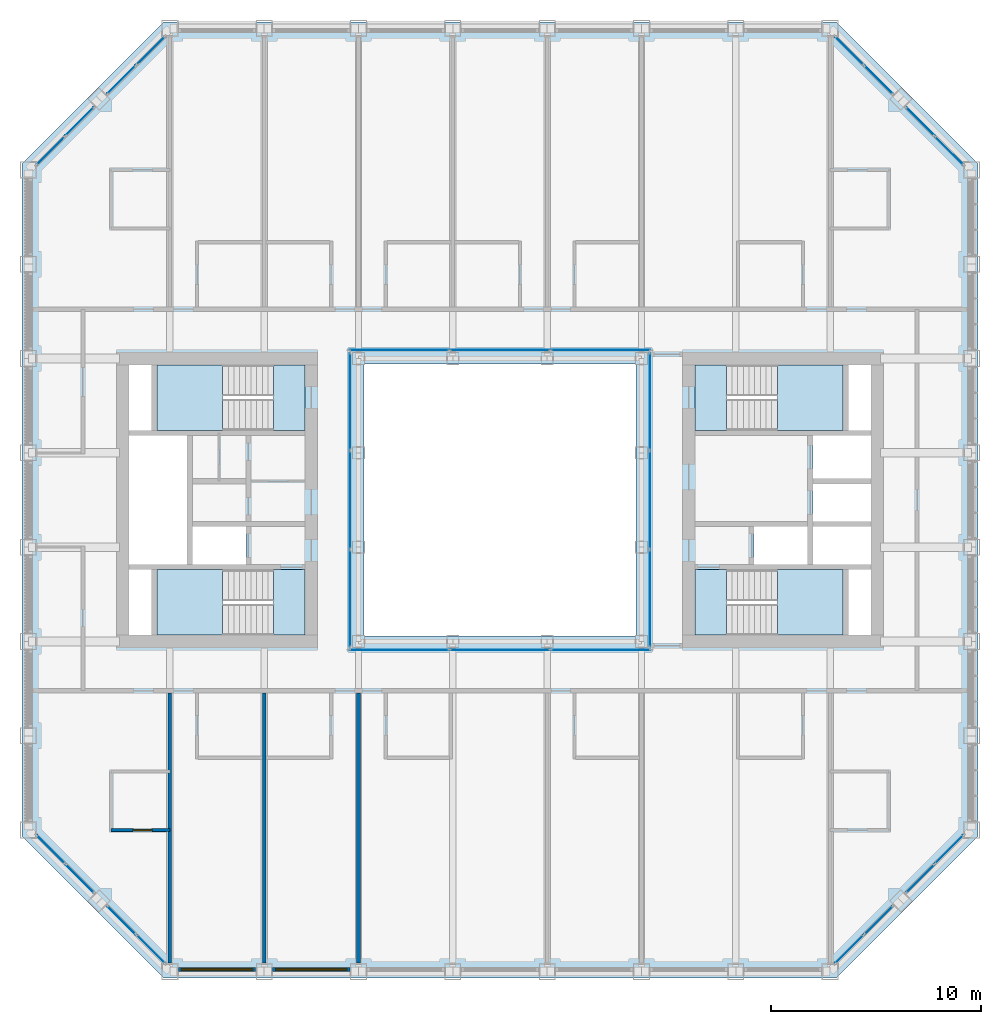
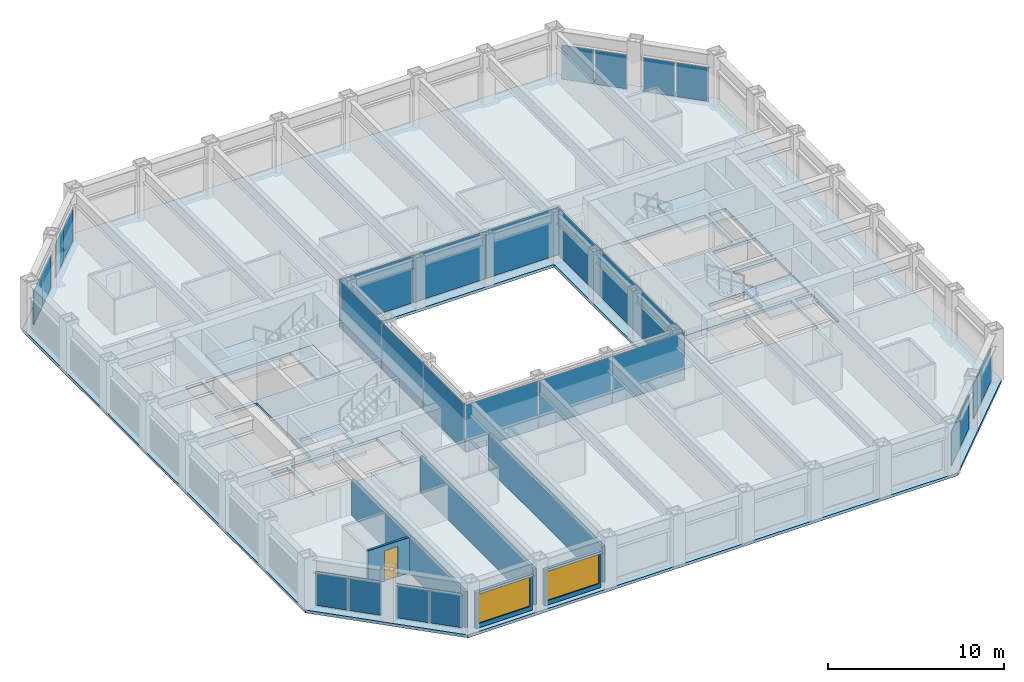
# One storey, part 9 of 17: 28 plates, 9 slabs, 6 walls, 2 windows, 1 door, 3 openings, 16 elements without a shape of their own.
"""IFC4 building model written with IfcOpenShell, lengths in metres."""

from ifc_helpers import new_model, si_unit, direction, frame, frame_2d, origin, origin_2d, place, context, subcontext, project, spatial, polyline, rectangle, outline, extrude, material, layer, layer_set, type_object, element, fill, aggregate, save


model = new_model("IFC4")

# Units and contexts
model_context = context("Model", 3, precision=1e-05, world=origin(), true_north=direction((0.0, 1.0)))
body_context = subcontext(model_context, "Body", "Model", "MODEL_VIEW")
ifc_project = project(units=[si_unit("LENGTHUNIT", "METRE"), si_unit("AREAUNIT", "SQUARE_METRE"), si_unit("VOLUMEUNIT", "CUBIC_METRE"), si_unit("PLANEANGLEUNIT", "RADIAN"), si_unit("MASSUNIT", "GRAM", prefix="KILO")], contexts=[model_context])

# Site, building, storey
site_placement = place(None, origin())
site = spatial("IfcSite", under=ifc_project, at=site_placement, CompositionType="ELEMENT")
building_placement = place(site_placement, origin())
building = spatial("IfcBuilding", under=site, at=building_placement, Name="Msasa Ring Tower", CompositionType="ELEMENT")
storey_placement = place(building_placement, frame((0.0, 0.0, 140.0)))
storey = spatial("IfcBuildingStorey", under=building, at=storey_placement, Name="L36", CompositionType="ELEMENT", Elevation=140.0)

# Curtain wall, plates
ifc_material_1 = material(Name="Aluminium curtain wall with clear glass", Category="aluminium")
curtain_wall_type_1 = type_object("IfcCurtainWallType", Name="CW-C CHAMFER CORNER CURTAIN WALL", PredefinedType="NOTDEFINED", material=ifc_material_1)
curtain_wall_1_placement = place(storey_placement, origin())
curtain_wall_1 = element("IfcCurtainWall", 1, at=curtain_wall_1_placement, inside=storey, type_object=curtain_wall_type_1, Name="Chamfer corner curtain wall SE L36", PredefinedType="NOTDEFINED")
ifc_material_2 = material(Name="Clear laminated insulating glass unit", Category="glass")
ifc_layer_1 = layer(ifc_material_2, 0.031982421875)
ifc_layer_set_1 = layer_set([ifc_layer_1], Name="CW-C GLASS PANEL 32")
plate_type_1 = type_object("IfcPlateType", Name="CW-C GLASS PANEL 32", PredefinedType="CURTAIN_PANEL", material=ifc_layer_set_1)
plate_1_placement = place(storey_placement, frame((16.677734375, -21.430908203125, 0.06494140625), z_axis=(0.0, 0.0, 1.0), x_axis=(0.707106781187, 0.707106781187, 0.0)))
plate_1 = element("IfcPlate", 2, at=plate_1_placement, type_object=plate_type_1, Name="CW-C panel 1.1", PredefinedType="CURTAIN_PANEL", context=body_context, shape_type="SweptSolid", body=[
    extrude(rectangle(XDim=1.884033203125, YDim=0.031982421875, at=origin_2d()), origin(), (0.0, 0.0, 1.0), 2.34912109375),
])
plate_2_placement = place(storey_placement, frame((18.055908203125, -20.052734375, 0.06494140625), z_axis=(0.0, 0.0, 1.0), x_axis=(0.707106781187, 0.707106781187, 0.0)))
plate_2 = element("IfcPlate", 3, at=plate_2_placement, type_object=plate_type_1, Name="CW-C panel 2.1", PredefinedType="CURTAIN_PANEL", context=body_context, shape_type="SweptSolid", body=[
    extrude(rectangle(XDim=1.884033203125, YDim=0.031982421875, at=origin_2d()), origin(), (0.0, 0.0, 1.0), 2.34912109375),
])
aggregate(curtain_wall_1, [plate_1, plate_2])

curtain_wall_2_placement = place(storey_placement, origin())
curtain_wall_2 = element("IfcCurtainWall", 4, at=curtain_wall_2_placement, inside=storey, type_object=curtain_wall_type_1, Name="Chamfer corner curtain wall SE L36", PredefinedType="NOTDEFINED")
plate_3_placement = place(storey_placement, frame((20.052734375, -18.055908203125, 0.06494140625), z_axis=(0.0, 0.0, 1.0), x_axis=(0.707106781187, 0.707106781187, 0.0)))
plate_3 = element("IfcPlate", 5, at=plate_3_placement, type_object=plate_type_1, Name="CW-C panel 1.1", PredefinedType="CURTAIN_PANEL", context=body_context, shape_type="SweptSolid", body=[
    extrude(rectangle(XDim=1.884033203125, YDim=0.031982421875, at=origin_2d()), origin(), (0.0, 0.0, 1.0), 2.34912109375),
])
plate_4_placement = place(storey_placement, frame((21.430908203125, -16.677734375, 0.06494140625), z_axis=(0.0, 0.0, 1.0), x_axis=(0.707106781187, 0.707106781187, 0.0)))
plate_4 = element("IfcPlate", 6, at=plate_4_placement, type_object=plate_type_1, Name="CW-C panel 2.1", PredefinedType="CURTAIN_PANEL", context=body_context, shape_type="SweptSolid", body=[
    extrude(rectangle(XDim=1.884033203125, YDim=0.031982421875, at=origin_2d()), origin(), (0.0, 0.0, 1.0), 2.34912109375),
])
aggregate(curtain_wall_2, [plate_3, plate_4])

curtain_wall_3_placement = place(storey_placement, origin())
curtain_wall_3 = element("IfcCurtainWall", 7, at=curtain_wall_3_placement, inside=storey, type_object=curtain_wall_type_1, Name="Chamfer corner curtain wall NE L36", PredefinedType="NOTDEFINED")
plate_5_placement = place(storey_placement, frame((18.055908203125, 20.052734375, 0.06494140625), z_axis=(0.0, 0.0, 1.0), x_axis=(-0.707106781187, 0.707106781187, 0.0)))
plate_5 = element("IfcPlate", 8, at=plate_5_placement, type_object=plate_type_1, Name="CW-C panel 1.1", PredefinedType="CURTAIN_PANEL", context=body_context, shape_type="SweptSolid", body=[
    extrude(rectangle(XDim=1.884033203125, YDim=0.031982421875, at=origin_2d()), origin(), (0.0, 0.0, 1.0), 2.34912109375),
])
plate_6_placement = place(storey_placement, frame((16.677734375, 21.430908203125, 0.06494140625), z_axis=(0.0, 0.0, 1.0), x_axis=(-0.707106781187, 0.707106781187, 0.0)))
plate_6 = element("IfcPlate", 9, at=plate_6_placement, type_object=plate_type_1, Name="CW-C panel 2.1", PredefinedType="CURTAIN_PANEL", context=body_context, shape_type="SweptSolid", body=[
    extrude(rectangle(XDim=1.884033203125, YDim=0.031982421875, at=origin_2d()), origin(), (0.0, 0.0, 1.0), 2.34912109375),
])
aggregate(curtain_wall_3, [plate_5, plate_6])

curtain_wall_4_placement = place(storey_placement, origin())
curtain_wall_4 = element("IfcCurtainWall", 10, at=curtain_wall_4_placement, inside=storey, type_object=curtain_wall_type_1, Name="Chamfer corner curtain wall NE L36", PredefinedType="NOTDEFINED")
plate_7_placement = place(storey_placement, frame((21.430908203125, 16.677734375, 0.06494140625), z_axis=(0.0, 0.0, 1.0), x_axis=(-0.707106781187, 0.707106781187, 0.0)))
plate_7 = element("IfcPlate", 11, at=plate_7_placement, type_object=plate_type_1, Name="CW-C panel 1.1", PredefinedType="CURTAIN_PANEL", context=body_context, shape_type="SweptSolid", body=[
    extrude(rectangle(XDim=1.884033203125, YDim=0.031982421875, at=origin_2d()), origin(), (0.0, 0.0, 1.0), 2.34912109375),
])
plate_8_placement = place(storey_placement, frame((20.052734375, 18.055908203125, 0.06494140625), z_axis=(0.0, 0.0, 1.0), x_axis=(-0.707106781187, 0.707106781187, 0.0)))
plate_8 = element("IfcPlate", 12, at=plate_8_placement, type_object=plate_type_1, Name="CW-C panel 2.1", PredefinedType="CURTAIN_PANEL", context=body_context, shape_type="SweptSolid", body=[
    extrude(rectangle(XDim=1.884033203125, YDim=0.031982421875, at=origin_2d()), origin(), (0.0, 0.0, 1.0), 2.34912109375),
])
aggregate(curtain_wall_4, [plate_7, plate_8])

curtain_wall_5_placement = place(storey_placement, origin())
curtain_wall_5 = element("IfcCurtainWall", 13, at=curtain_wall_5_placement, inside=storey, type_object=curtain_wall_type_1, Name="Chamfer corner curtain wall NW L36", PredefinedType="NOTDEFINED")
plate_9_placement = place(storey_placement, frame((-20.052734375, 18.055908203125, 0.06494140625), z_axis=(0.0, 0.0, 1.0), x_axis=(-0.707106781187, -0.707106781187, 0.0)))
plate_9 = element("IfcPlate", 14, at=plate_9_placement, type_object=plate_type_1, Name="CW-C panel 1.1", PredefinedType="CURTAIN_PANEL", context=body_context, shape_type="SweptSolid", body=[
    extrude(rectangle(XDim=1.884033203125, YDim=0.031982421875, at=origin_2d()), origin(), (0.0, 0.0, 1.0), 2.34912109375),
])
plate_10_placement = place(storey_placement, frame((-21.430908203125, 16.677734375, 0.06494140625), z_axis=(0.0, 0.0, 1.0), x_axis=(-0.707106781187, -0.707106781187, 0.0)))
plate_10 = element("IfcPlate", 15, at=plate_10_placement, type_object=plate_type_1, Name="CW-C panel 2.1", PredefinedType="CURTAIN_PANEL", context=body_context, shape_type="SweptSolid", body=[
    extrude(rectangle(XDim=1.884033203125, YDim=0.031982421875, at=origin_2d()), origin(), (0.0, 0.0, 1.0), 2.34912109375),
])
aggregate(curtain_wall_5, [plate_9, plate_10])

curtain_wall_6_placement = place(storey_placement, origin())
curtain_wall_6 = element("IfcCurtainWall", 16, at=curtain_wall_6_placement, inside=storey, type_object=curtain_wall_type_1, Name="Chamfer corner curtain wall NW L36", PredefinedType="NOTDEFINED")
plate_11_placement = place(storey_placement, frame((-16.677734375, 21.430908203125, 0.06494140625), z_axis=(0.0, 0.0, 1.0), x_axis=(-0.707106781187, -0.707106781187, 0.0)))
plate_11 = element("IfcPlate", 17, at=plate_11_placement, type_object=plate_type_1, Name="CW-C panel 1.1", PredefinedType="CURTAIN_PANEL", context=body_context, shape_type="SweptSolid", body=[
    extrude(rectangle(XDim=1.884033203125, YDim=0.031982421875, at=origin_2d()), origin(), (0.0, 0.0, 1.0), 2.34912109375),
])
plate_12_placement = place(storey_placement, frame((-18.055908203125, 20.052734375, 0.06494140625), z_axis=(0.0, 0.0, 1.0), x_axis=(-0.707106781187, -0.707106781187, 0.0)))
plate_12 = element("IfcPlate", 18, at=plate_12_placement, type_object=plate_type_1, Name="CW-C panel 2.1", PredefinedType="CURTAIN_PANEL", context=body_context, shape_type="SweptSolid", body=[
    extrude(rectangle(XDim=1.884033203125, YDim=0.031982421875, at=origin_2d()), origin(), (0.0, 0.0, 1.0), 2.34912109375),
])
aggregate(curtain_wall_6, [plate_11, plate_12])

curtain_wall_7_placement = place(storey_placement, origin())
curtain_wall_7 = element("IfcCurtainWall", 19, at=curtain_wall_7_placement, inside=storey, type_object=curtain_wall_type_1, Name="Chamfer corner curtain wall SW L36", PredefinedType="NOTDEFINED")
plate_13_placement = place(storey_placement, frame((-21.430908203125, -16.677734375, 0.06494140625), z_axis=(0.0, 0.0, 1.0), x_axis=(0.707106781187, -0.707106781187, 0.0)))
plate_13 = element("IfcPlate", 20, at=plate_13_placement, type_object=plate_type_1, Name="CW-C panel 1.1", PredefinedType="CURTAIN_PANEL", context=body_context, shape_type="SweptSolid", body=[
    extrude(rectangle(XDim=1.884033203125, YDim=0.031982421875, at=origin_2d()), origin(), (0.0, 0.0, 1.0), 2.34912109375),
])
plate_14_placement = place(storey_placement, frame((-20.052734375, -18.055908203125, 0.06494140625), z_axis=(0.0, 0.0, 1.0), x_axis=(0.707106781187, -0.707106781187, 0.0)))
plate_14 = element("IfcPlate", 21, at=plate_14_placement, type_object=plate_type_1, Name="CW-C panel 2.1", PredefinedType="CURTAIN_PANEL", context=body_context, shape_type="SweptSolid", body=[
    extrude(rectangle(XDim=1.884033203125, YDim=0.031982421875, at=origin_2d()), origin(), (0.0, 0.0, 1.0), 2.34912109375),
])
aggregate(curtain_wall_7, [plate_13, plate_14])

curtain_wall_8_placement = place(storey_placement, origin())
curtain_wall_8 = element("IfcCurtainWall", 22, at=curtain_wall_8_placement, inside=storey, type_object=curtain_wall_type_1, Name="Chamfer corner curtain wall SW L36", PredefinedType="NOTDEFINED")
plate_15_placement = place(storey_placement, frame((-18.055908203125, -20.052734375, 0.06494140625), z_axis=(0.0, 0.0, 1.0), x_axis=(0.707106781187, -0.707106781187, 0.0)))
plate_15 = element("IfcPlate", 23, at=plate_15_placement, type_object=plate_type_1, Name="CW-C panel 1.1", PredefinedType="CURTAIN_PANEL", context=body_context, shape_type="SweptSolid", body=[
    extrude(rectangle(XDim=1.884033203125, YDim=0.031982421875, at=origin_2d()), origin(), (0.0, 0.0, 1.0), 2.34912109375),
])
plate_16_placement = place(storey_placement, frame((-16.677734375, -21.430908203125, 0.06494140625), z_axis=(0.0, 0.0, 1.0), x_axis=(0.707106781187, -0.707106781187, 0.0)))
plate_16 = element("IfcPlate", 24, at=plate_16_placement, type_object=plate_type_1, Name="CW-C panel 2.1", PredefinedType="CURTAIN_PANEL", context=body_context, shape_type="SweptSolid", body=[
    extrude(rectangle(XDim=1.884033203125, YDim=0.031982421875, at=origin_2d()), origin(), (0.0, 0.0, 1.0), 2.34912109375),
])
aggregate(curtain_wall_8, [plate_15, plate_16])

ifc_material_3 = material(Name="Aluminium curtain wall with clear glass", Category="aluminium")
curtain_wall_type_2 = type_object("IfcCurtainWallType", Name="CW-W LIGHT WELL CURTAIN WALL", PredefinedType="NOTDEFINED", material=ifc_material_3)
curtain_wall_9_placement = place(storey_placement, origin())
curtain_wall_9 = element("IfcCurtainWall", 25, at=curtain_wall_9_placement, inside=storey, type_object=curtain_wall_type_2, Name="Light well curtain wall N L36", PredefinedType="NOTDEFINED")
ifc_material_4 = material(Name="Clear laminated insulating glass unit", Category="glass")
ifc_layer_2 = layer(ifc_material_4, 0.028076171875)
ifc_layer_set_2 = layer_set([ifc_layer_2], Name="CW-W GLASS PANEL 28")
plate_type_2 = type_object("IfcPlateType", Name="CW-W GLASS PANEL 28", PredefinedType="CURTAIN_PANEL", material=ifc_layer_set_2)
plate_17_placement = place(storey_placement, frame((-4.804931640625, 7.14990234375, 0.06005859375), z_axis=(0.0, 0.0, 1.0), x_axis=(1.0, 0.0, 0.0)))
plate_17 = element("IfcPlate", 26, at=plate_17_placement, type_object=plate_type_2, Name="CW-W panel 1.1", PredefinedType="CURTAIN_PANEL", context=body_context, shape_type="SweptSolid", body=[
    extrude(rectangle(XDim=4.72998046875, YDim=0.028076171875, at=origin_2d()), origin(), (0.0, 0.0, 1.0), 3.280029296875),
])
plate_18_placement = place(storey_placement, frame((0.0, 7.14990234375, 0.06005859375), z_axis=(0.0, 0.0, 1.0), x_axis=(1.0, 0.0, 0.0)))
plate_18 = element("IfcPlate", 27, at=plate_18_placement, type_object=plate_type_2, Name="CW-W panel 2.1", PredefinedType="CURTAIN_PANEL", context=body_context, shape_type="SweptSolid", body=[
    extrude(rectangle(XDim=4.760009765625, YDim=0.028076171875, at=origin_2d()), origin(), (0.0, 0.0, 1.0), 3.280029296875),
])
plate_19_placement = place(storey_placement, frame((4.804931640625, 7.14990234375, 0.06005859375), z_axis=(0.0, 0.0, 1.0), x_axis=(1.0, 0.0, 0.0)))
plate_19 = element("IfcPlate", 28, at=plate_19_placement, type_object=plate_type_2, Name="CW-W panel 3.1", PredefinedType="CURTAIN_PANEL", context=body_context, shape_type="SweptSolid", body=[
    extrude(rectangle(XDim=4.72998046875, YDim=0.028076171875, at=origin_2d()), origin(), (0.0, 0.0, 1.0), 3.280029296875),
])
aggregate(curtain_wall_9, [plate_17, plate_18, plate_19])

curtain_wall_10_placement = place(storey_placement, origin())
curtain_wall_10 = element("IfcCurtainWall", 29, at=curtain_wall_10_placement, inside=storey, type_object=curtain_wall_type_2, Name="Light well curtain wall S L36", PredefinedType="NOTDEFINED")
plate_20_placement = place(storey_placement, frame((-4.804931640625, -7.14990234375, 0.06005859375), z_axis=(0.0, 0.0, 1.0), x_axis=(1.0, 0.0, 0.0)))
plate_20 = element("IfcPlate", 30, at=plate_20_placement, type_object=plate_type_2, Name="CW-W panel 1.1", PredefinedType="CURTAIN_PANEL", context=body_context, shape_type="SweptSolid", body=[
    extrude(rectangle(XDim=4.72998046875, YDim=0.028076171875, at=origin_2d()), origin(), (0.0, 0.0, 1.0), 3.280029296875),
])
plate_21_placement = place(storey_placement, frame((0.0, -7.14990234375, 0.06005859375), z_axis=(0.0, 0.0, 1.0), x_axis=(1.0, 0.0, 0.0)))
plate_21 = element("IfcPlate", 31, at=plate_21_placement, type_object=plate_type_2, Name="CW-W panel 2.1", PredefinedType="CURTAIN_PANEL", context=body_context, shape_type="SweptSolid", body=[
    extrude(rectangle(XDim=4.760009765625, YDim=0.028076171875, at=origin_2d()), origin(), (0.0, 0.0, 1.0), 3.280029296875),
])
plate_22_placement = place(storey_placement, frame((4.804931640625, -7.14990234375, 0.06005859375), z_axis=(0.0, 0.0, 1.0), x_axis=(1.0, 0.0, 0.0)))
plate_22 = element("IfcPlate", 32, at=plate_22_placement, type_object=plate_type_2, Name="CW-W panel 3.1", PredefinedType="CURTAIN_PANEL", context=body_context, shape_type="SweptSolid", body=[
    extrude(rectangle(XDim=4.72998046875, YDim=0.028076171875, at=origin_2d()), origin(), (0.0, 0.0, 1.0), 3.280029296875),
])
aggregate(curtain_wall_10, [plate_20, plate_21, plate_22])

curtain_wall_11_placement = place(storey_placement, origin())
curtain_wall_11 = element("IfcCurtainWall", 33, at=curtain_wall_11_placement, inside=storey, type_object=curtain_wall_type_2, Name="Light well curtain wall E L36", PredefinedType="NOTDEFINED")
plate_23_placement = place(storey_placement, frame((7.14990234375, -4.6982421875, 0.06005859375), z_axis=(0.0, 0.0, 1.0), x_axis=(0.0, 1.0, 0.0)))
plate_23 = element("IfcPlate", 34, at=plate_23_placement, type_object=plate_type_2, Name="CW-W panel 1.1", PredefinedType="CURTAIN_PANEL", context=body_context, shape_type="SweptSolid", body=[
    extrude(rectangle(XDim=4.623291015625, YDim=0.028076171875, at=origin_2d()), origin(), (0.0, 0.0, 1.0), 3.280029296875),
])
plate_24_placement = place(storey_placement, frame((7.14990234375, 0.0, 0.06005859375), z_axis=(0.0, 0.0, 1.0), x_axis=(0.0, 1.0, 0.0)))
plate_24 = element("IfcPlate", 35, at=plate_24_placement, type_object=plate_type_2, Name="CW-W panel 2.1", PredefinedType="CURTAIN_PANEL", context=body_context, shape_type="SweptSolid", body=[
    extrude(rectangle(XDim=4.6533203125, YDim=0.028076171875, at=origin_2d()), origin(), (0.0, 0.0, 1.0), 3.280029296875),
])
plate_25_placement = place(storey_placement, frame((7.14990234375, 4.6982421875, 0.06005859375), z_axis=(0.0, 0.0, 1.0), x_axis=(0.0, 1.0, 0.0)))
plate_25 = element("IfcPlate", 36, at=plate_25_placement, type_object=plate_type_2, Name="CW-W panel 3.1", PredefinedType="CURTAIN_PANEL", context=body_context, shape_type="SweptSolid", body=[
    extrude(rectangle(XDim=4.623291015625, YDim=0.028076171875, at=origin_2d()), origin(), (0.0, 0.0, 1.0), 3.280029296875),
])
aggregate(curtain_wall_11, [plate_23, plate_24, plate_25])

curtain_wall_12_placement = place(storey_placement, origin())
curtain_wall_12 = element("IfcCurtainWall", 37, at=curtain_wall_12_placement, inside=storey, type_object=curtain_wall_type_2, Name="Light well curtain wall W L36", PredefinedType="NOTDEFINED")
plate_26_placement = place(storey_placement, frame((-7.14990234375, -4.6982421875, 0.06005859375), z_axis=(0.0, 0.0, 1.0), x_axis=(0.0, 1.0, 0.0)))
plate_26 = element("IfcPlate", 38, at=plate_26_placement, type_object=plate_type_2, Name="CW-W panel 1.1", PredefinedType="CURTAIN_PANEL", context=body_context, shape_type="SweptSolid", body=[
    extrude(rectangle(XDim=4.623291015625, YDim=0.028076171875, at=origin_2d()), origin(), (0.0, 0.0, 1.0), 3.280029296875),
])
plate_27_placement = place(storey_placement, frame((-7.14990234375, 0.0, 0.06005859375), z_axis=(0.0, 0.0, 1.0), x_axis=(0.0, 1.0, 0.0)))
plate_27 = element("IfcPlate", 39, at=plate_27_placement, type_object=plate_type_2, Name="CW-W panel 2.1", PredefinedType="CURTAIN_PANEL", context=body_context, shape_type="SweptSolid", body=[
    extrude(rectangle(XDim=4.6533203125, YDim=0.028076171875, at=origin_2d()), origin(), (0.0, 0.0, 1.0), 3.280029296875),
])
plate_28_placement = place(storey_placement, frame((-7.14990234375, 4.6982421875, 0.06005859375), z_axis=(0.0, 0.0, 1.0), x_axis=(0.0, 1.0, 0.0)))
plate_28 = element("IfcPlate", 40, at=plate_28_placement, type_object=plate_type_2, Name="CW-W panel 3.1", PredefinedType="CURTAIN_PANEL", context=body_context, shape_type="SweptSolid", body=[
    extrude(rectangle(XDim=4.623291015625, YDim=0.028076171875, at=origin_2d()), origin(), (0.0, 0.0, 1.0), 3.280029296875),
])
aggregate(curtain_wall_12, [plate_26, plate_27, plate_28])

# Stair, slabs
ifc_material_5 = material(Name="Concrete C40/50", Category="concrete")
stair_type = type_object("IfcStairType", Name="STC CORE STAIR 20 RISERS 180", PredefinedType="HALF_TURN_STAIR", material=ifc_material_5)
stair_1_placement = place(storey_placement, origin())
stair_1 = element("IfcStair", 41, at=stair_1_placement, inside=storey, type_object=stair_type, Name="Core stair SEA L36", PredefinedType="HALF_TURN_STAIR")
ifc_material_6 = material(Name="Concrete C40/50", Category="concrete")
ifc_layer_3 = layer(ifc_material_6, 0.199951171875)
ifc_layer_set_3 = layer_set([ifc_layer_3], Name="LD1 CORE STAIR LANDING 200")
slab_type_1 = type_object("IfcSlabType", Name="LD1 CORE STAIR LANDING 200", PredefinedType="LANDING", material=ifc_layer_set_3)
slab_1_placement = place(storey_placement, frame((0.0, 0.0, -0.199951171875)))
slab_1 = element("IfcSlab", 42, at=slab_1_placement, type_object=slab_type_1, Name="SEA landing 1", PredefinedType="LANDING", context=body_context, shape_type="SweptSolid", body=[
    extrude(outline(polyline([(9.300048828125, -6.449951171875), (10.800048828125, -6.449951171875), (10.800048828125, -3.324951171875), (9.300048828125, -3.324951171875), (9.300048828125, -6.449951171875)])), origin(), (0.0, 0.0, 1.0), 0.199951171875),
])
slab_2_placement = place(storey_placement, frame((0.0, 0.0, 1.60009765625)))
slab_2 = element("IfcSlab", 43, at=slab_2_placement, type_object=slab_type_1, Name="SEA landing 2", PredefinedType="LANDING", context=body_context, shape_type="SweptSolid", body=[
    extrude(outline(polyline([(13.22998046875, -6.449951171875), (16.375, -6.449951171875), (16.375, -3.324951171875), (13.22998046875, -3.324951171875), (13.22998046875, -6.449951171875)])), origin(), (0.0, 0.0, 1.0), 0.199951171875),
])
aggregate(stair_1, [slab_1, slab_2])

stair_2_placement = place(storey_placement, origin())
stair_2 = element("IfcStair", 44, at=stair_2_placement, inside=storey, type_object=stair_type, Name="Core stair SEB L36", PredefinedType="HALF_TURN_STAIR")
slab_3_placement = place(storey_placement, frame((0.0, 0.0, -0.199951171875)))
slab_3 = element("IfcSlab", 45, at=slab_3_placement, type_object=slab_type_1, Name="SEB landing 1", PredefinedType="LANDING", context=body_context, shape_type="SweptSolid", body=[
    extrude(outline(polyline([(9.300048828125, 3.324951171875), (10.800048828125, 3.324951171875), (10.800048828125, 6.449951171875), (9.300048828125, 6.449951171875), (9.300048828125, 3.324951171875)])), origin(), (0.0, 0.0, 1.0), 0.199951171875),
])
slab_4_placement = place(storey_placement, frame((0.0, 0.0, 1.60009765625)))
slab_4 = element("IfcSlab", 46, at=slab_4_placement, type_object=slab_type_1, Name="SEB landing 2", PredefinedType="LANDING", context=body_context, shape_type="SweptSolid", body=[
    extrude(outline(polyline([(13.22998046875, 3.324951171875), (16.375, 3.324951171875), (16.375, 6.449951171875), (13.22998046875, 6.449951171875), (13.22998046875, 3.324951171875)])), origin(), (0.0, 0.0, 1.0), 0.199951171875),
])
aggregate(stair_2, [slab_3, slab_4])

stair_3_placement = place(storey_placement, origin())
stair_3 = element("IfcStair", 47, at=stair_3_placement, inside=storey, type_object=stair_type, Name="Core stair SWA L36", PredefinedType="HALF_TURN_STAIR")
slab_5_placement = place(storey_placement, frame((0.0, 0.0, -0.199951171875)))
slab_5 = element("IfcSlab", 48, at=slab_5_placement, type_object=slab_type_1, Name="SWA landing 1", PredefinedType="LANDING", context=body_context, shape_type="SweptSolid", body=[
    extrude(outline(polyline([(-10.800048828125, -6.449951171875), (-9.300048828125, -6.449951171875), (-9.300048828125, -3.324951171875), (-10.800048828125, -3.324951171875), (-10.800048828125, -6.449951171875)])), origin(), (0.0, 0.0, 1.0), 0.199951171875),
])
slab_6_placement = place(storey_placement, frame((0.0, 0.0, 1.60009765625)))
slab_6 = element("IfcSlab", 49, at=slab_6_placement, type_object=slab_type_1, Name="SWA landing 2", PredefinedType="LANDING", context=body_context, shape_type="SweptSolid", body=[
    extrude(outline(polyline([(-16.375, -6.449951171875), (-13.22998046875, -6.449951171875), (-13.22998046875, -3.324951171875), (-16.375, -3.324951171875), (-16.375, -6.449951171875)])), origin(), (0.0, 0.0, 1.0), 0.199951171875),
])
aggregate(stair_3, [slab_5, slab_6])

stair_4_placement = place(storey_placement, origin())
stair_4 = element("IfcStair", 50, at=stair_4_placement, inside=storey, type_object=stair_type, Name="Core stair SWB L36", PredefinedType="HALF_TURN_STAIR")
slab_7_placement = place(storey_placement, frame((0.0, 0.0, -0.199951171875)))
slab_7 = element("IfcSlab", 51, at=slab_7_placement, type_object=slab_type_1, Name="SWB landing 1", PredefinedType="LANDING", context=body_context, shape_type="SweptSolid", body=[
    extrude(outline(polyline([(-10.800048828125, 3.324951171875), (-9.300048828125, 3.324951171875), (-9.300048828125, 6.449951171875), (-10.800048828125, 6.449951171875), (-10.800048828125, 3.324951171875)])), origin(), (0.0, 0.0, 1.0), 0.199951171875),
])
slab_8_placement = place(storey_placement, frame((0.0, 0.0, 1.60009765625)))
slab_8 = element("IfcSlab", 52, at=slab_8_placement, type_object=slab_type_1, Name="SWB landing 2", PredefinedType="LANDING", context=body_context, shape_type="SweptSolid", body=[
    extrude(outline(polyline([(-16.375, 3.324951171875), (-13.22998046875, 3.324951171875), (-13.22998046875, 6.449951171875), (-16.375, 6.449951171875), (-16.375, 3.324951171875)])), origin(), (0.0, 0.0, 1.0), 0.199951171875),
])
aggregate(stair_4, [slab_7, slab_8])

# Slab
ifc_material_7 = material(Name="Concrete C40/50", Category="concrete")
ifc_layer_4 = layer(ifc_material_7, 0.199951171875)
ifc_layer_set_4 = layer_set([ifc_layer_4], Name="S6 GUEST FLOOR 200")
slab_type_2 = type_object("IfcSlabType", Name="S6 GUEST FLOOR 200", PredefinedType="FLOOR", material=ifc_layer_set_4)
slab_9_placement = place(storey_placement, frame((0.0, 0.0, -0.199951171875)))
element("IfcSlab", 53, at=slab_9_placement, inside=storey, type_object=slab_type_2, Name="Floor slab L36", PredefinedType="FLOOR", context=body_context, shape_type="SweptSolid", body=[
    extrude(outline(polyline([(-16.050048828125, -22.800048828125), (16.050048828125, -22.800048828125), (22.800048828125, -16.050048828125), (22.800048828125, 16.050048828125), (16.050048828125, 22.800048828125), (-16.050048828125, 22.800048828125), (-22.800048828125, 16.050048828125), (-22.800048828125, -16.050048828125), (-16.050048828125, -22.800048828125)]), holes=[polyline([(-6.5, -6.5), (6.5, -6.5), (6.5, 6.5), (-6.5, 6.5), (-6.5, -6.5)]), polyline([(9.300048828125, -6.449951171875), (16.375, -6.449951171875), (16.375, -3.324951171875), (9.300048828125, -3.324951171875), (9.300048828125, -6.449951171875)]), polyline([(9.300048828125, 3.324951171875), (16.375, 3.324951171875), (16.375, 6.449951171875), (9.300048828125, 6.449951171875), (9.300048828125, 3.324951171875)]), polyline([(12.125, -3.074951171875), (14.675048828125, -3.074951171875), (14.675048828125, -1.27490234375), (12.125, -1.27490234375), (12.125, -3.074951171875)]), polyline([(16.625, -6.449951171875), (17.699951171875, -6.449951171875), (17.699951171875, -3.324951171875), (16.625, -3.324951171875), (16.625, -6.449951171875)]), polyline([(16.625, 3.324951171875), (17.699951171875, 3.324951171875), (17.699951171875, 6.449951171875), (16.625, 6.449951171875), (16.625, 3.324951171875)]), polyline([(14.925048828125, -3.074951171875), (17.699951171875, -3.074951171875), (17.699951171875, -1.27490234375), (14.925048828125, -1.27490234375), (14.925048828125, -3.074951171875)]), polyline([(14.925048828125, -1.02490234375), (17.699951171875, -1.02490234375), (17.699951171875, 0.77490234375), (14.925048828125, 0.77490234375), (14.925048828125, -1.02490234375)]), polyline([(14.925048828125, 1.02490234375), (17.699951171875, 1.02490234375), (17.699951171875, 3.074951171875), (14.925048828125, 3.074951171875), (14.925048828125, 1.02490234375)]), polyline([(-16.375, -6.449951171875), (-9.300048828125, -6.449951171875), (-9.300048828125, -3.324951171875), (-16.375, -3.324951171875), (-16.375, -6.449951171875)]), polyline([(-16.375, 3.324951171875), (-9.300048828125, 3.324951171875), (-9.300048828125, 6.449951171875), (-16.375, 6.449951171875), (-16.375, 3.324951171875)]), polyline([(-14.675048828125, -3.074951171875), (-12.125, -3.074951171875), (-12.125, -1.27490234375), (-14.675048828125, -1.27490234375), (-14.675048828125, -3.074951171875)]), polyline([(-17.699951171875, -6.449951171875), (-16.625, -6.449951171875), (-16.625, -3.324951171875), (-17.699951171875, -3.324951171875), (-17.699951171875, -6.449951171875)]), polyline([(-17.699951171875, 3.324951171875), (-16.625, 3.324951171875), (-16.625, 6.449951171875), (-17.699951171875, 6.449951171875), (-17.699951171875, 3.324951171875)]), polyline([(-17.699951171875, -3.074951171875), (-14.925048828125, -3.074951171875), (-14.925048828125, 3.074951171875), (-17.699951171875, 3.074951171875), (-17.699951171875, -3.074951171875)])]), origin(), (0.0, 0.0, 1.0), 0.199951171875),
])

# Wall, opening, window
ifc_material_8 = material(Name="Terracotta rainscreen on blockwork", Category="masonry")
ifc_layer_5 = layer(ifc_material_8, 0.199951171875)
ifc_layer_set_5 = layer_set([ifc_layer_5], Name="FW1 TERRACOTTA-LINED INFILL BAY WALL 200")
wall_type_1 = type_object("IfcWallType", Name="FW1 TERRACOTTA-LINED INFILL BAY WALL 200", PredefinedType="SOLIDWALL", material=ifc_layer_set_5)
wall_1_placement = place(storey_placement, frame((-15.344970703125, -22.39990234375, 0.0), z_axis=(0.0, 0.0, 1.0), x_axis=(1.0, 0.0, 0.0)))
wall_1 = element("IfcWall", 54, at=wall_1_placement, inside=storey, type_object=wall_type_1, Name="Infill bay wall S L36 00", PredefinedType="SOLIDWALL", context=body_context, shape_type="SweptSolid", body=[
    extrude(rectangle(XDim=3.68994140625, YDim=0.199951171875, at=frame_2d((1.844970703125, 0.0))), origin(), (0.0, 0.0, 1.0), 2.47900390625),
])
opening_1_placement = place(wall_1_placement, frame((0.14501953125, 0.0, 0.300048828125)))
opening_1 = element("IfcOpeningElement", 55, at=opening_1_placement, cuts=wall_1, Name="Opening WN2", PredefinedType="OPENING", context=body_context, shape_type="SweptSolid", body=[
    extrude(rectangle(XDim=3.39990234375, YDim=2.029052734375, at=frame_2d((1.699951171875, 1.0146484375))), frame((0.0, 0.10986328125, 0.0), z_axis=(0.0, -1.0, 0.0), x_axis=(1.0, 0.0, 0.0)), (0.0, 0.0, 1.0), 0.219970703125),
])
ifc_material_9 = material(Name="Aluminium frame with clear glass", Category="aluminium")
window_type = type_object("IfcWindowType", Name="WN2 GUEST ROOM WINDOW 3400x2029", PartitioningType="SINGLE_PANEL", PredefinedType="WINDOW", material=ifc_material_9)
window_1_placement = place(opening_1_placement, origin())
window_1 = element("IfcWindow", 56, at=window_1_placement, inside=storey, type_object=window_type, Name="Window S L36 00", OverallHeight=2.029052734375, OverallWidth=3.39990234375, PartitioningType="SINGLE_PANEL", PredefinedType="WINDOW", context=body_context, shape_type="SweptSolid", body=[
    extrude(rectangle(XDim=3.39990234375, YDim=2.029052734375, at=frame_2d((1.699951171875, 1.0146484375))), frame((0.0, 0.030029296875, 0.0), z_axis=(0.0, -1.0, 0.0), x_axis=(1.0, 0.0, 0.0)), (0.0, 0.0, 1.0), 0.06005859375),
])
fill(opening_1, window_1)

wall_2_placement = place(storey_placement, frame((-10.844970703125, -22.39990234375, 0.0), z_axis=(0.0, 0.0, 1.0), x_axis=(1.0, 0.0, 0.0)))
wall_2 = element("IfcWall", 57, at=wall_2_placement, inside=storey, type_object=wall_type_1, Name="Infill bay wall S L36 01", PredefinedType="SOLIDWALL", context=body_context, shape_type="SweptSolid", body=[
    extrude(rectangle(XDim=3.68994140625, YDim=0.199951171875, at=frame_2d((1.844970703125, 0.0))), origin(), (0.0, 0.0, 1.0), 2.47900390625),
])
opening_2_placement = place(wall_2_placement, frame((0.14501953125, 0.0, 0.300048828125)))
opening_2 = element("IfcOpeningElement", 58, at=opening_2_placement, cuts=wall_2, Name="Opening WN2", PredefinedType="OPENING", context=body_context, shape_type="SweptSolid", body=[
    extrude(rectangle(XDim=3.39990234375, YDim=2.029052734375, at=frame_2d((1.699951171875, 1.0146484375))), frame((0.0, 0.10986328125, 0.0), z_axis=(0.0, -1.0, 0.0), x_axis=(1.0, 0.0, 0.0)), (0.0, 0.0, 1.0), 0.219970703125),
])
window_2_placement = place(opening_2_placement, origin())
window_2 = element("IfcWindow", 59, at=window_2_placement, inside=storey, type_object=window_type, Name="Window S L36 01", OverallHeight=2.029052734375, OverallWidth=3.39990234375, PartitioningType="SINGLE_PANEL", PredefinedType="WINDOW", context=body_context, shape_type="SweptSolid", body=[
    extrude(rectangle(XDim=3.39990234375, YDim=2.029052734375, at=frame_2d((1.699951171875, 1.0146484375))), frame((0.0, 0.030029296875, 0.0), z_axis=(0.0, -1.0, 0.0), x_axis=(1.0, 0.0, 0.0)), (0.0, 0.0, 1.0), 0.06005859375),
])
fill(opening_2, window_2)

# Wall, opening, door
ifc_material_10 = material(Name="Moisture-resistant board on steel studs with a concealed cistern and pipe void, tiled", Category="steel")
ifc_layer_6 = layer(ifc_material_10, 0.14990234375)
ifc_layer_set_6 = layer_set([ifc_layer_6], Name="PT4 BATHROOM WET WALL 150")
wall_type_2 = type_object("IfcWallType", Name="PT4 BATHROOM WET WALL 150", PredefinedType="PARTITIONING", material=ifc_layer_set_6)
wall_3_placement = place(storey_placement, frame((-18.550048828125, -15.75, 0.0), z_axis=(0.0, 0.0, 1.0), x_axis=(1.0, 0.0, 0.0)))
wall_3 = element("IfcWall", 60, at=wall_3_placement, inside=storey, type_object=wall_type_2, Name="Partition L36-CSSWBZ", PredefinedType="PARTITIONING", context=body_context, shape_type="SweptSolid", body=[
    extrude(rectangle(XDim=2.800048828125, YDim=0.14990234375, at=frame_2d((1.39990234375, 0.0))), origin(), (0.0, 0.0, 1.0), 2.473388671875),
])
opening_3_placement = place(wall_3_placement, frame((1.050048828125, 0.0, 0.0)))
opening_3 = element("IfcOpeningElement", 61, at=opening_3_placement, cuts=wall_3, Name="Opening HC-046", PredefinedType="OPENING", context=body_context, shape_type="SweptSolid", body=[
    extrude(rectangle(XDim=0.89990234375, YDim=2.10009765625, at=frame_2d((0.449951171875, 1.050048828125))), frame((0.0, 0.0849609375, 0.0), z_axis=(0.0, -1.0, 0.0), x_axis=(1.0, 0.0, 0.0)), (0.0, 0.0, 1.0), 0.169921875),
])
ifc_material_11 = material(Name="Timber door leaf in a steel frame", Category="steel")
door_type = type_object("IfcDoorType", Name="D3 BATHROOM DOOR 900x2100", OperationType="SINGLE_SWING_LEFT", PredefinedType="DOOR", material=ifc_material_11)
door_placement = place(opening_3_placement, origin())
door = element("IfcDoor", 62, at=door_placement, inside=storey, type_object=door_type, Name="Door L36-CSSWB1", OperationType="SINGLE_SWING_RIGHT", OverallHeight=2.10009765625, OverallWidth=0.89990234375, PredefinedType="DOOR", context=body_context, shape_type="SweptSolid", body=[
    extrude(rectangle(XDim=0.89990234375, YDim=2.10009765625, at=frame_2d((0.449951171875, 1.050048828125))), frame((0.0, 0.02490234375, 0.0), z_axis=(0.0, -1.0, 0.0), x_axis=(1.0, 0.0, 0.0)), (0.0, 0.0, 1.0), 0.050048828125),
])
fill(opening_3, door)

# Walls
ifc_material_12 = material(Name="Twin steel studs, two layers of acoustic board each face, mineral wool", Category="steel")
ifc_layer_7 = layer(ifc_material_12, 0.175048828125)
ifc_layer_set_7 = layer_set([ifc_layer_7], Name="PT5 GUEST ROOM SEPARATING WALL 175")
wall_type_3 = type_object("IfcWallType", Name="PT5 GUEST ROOM SEPARATING WALL 175", PredefinedType="PARTITIONING", material=ifc_layer_set_7)
for number, where, z_axis, x_axis, name in (
    (63, (-15.75, -22.10009765625, 0.0), (0.0, 0.0, 1.0), (0.0, 1.0, 0.0), "Partition L36-PWS-15.75"),
    (64, (-11.25, -22.10009765625, 0.0), (0.0, 0.0, 1.0), (0.0, 1.0, 0.0), "Partition L36-PWS-11.25"),
    (65, (-6.75, -22.10009765625, 0.0), (0.0, 0.0, 1.0), (0.0, 1.0, 0.0), "Partition L36-PWS-6.75"),
):
    element("IfcWall", number, at=place(storey_placement, frame(where, z_axis=z_axis, x_axis=x_axis)), inside=storey, type_object=wall_type_3, Name=name, PredefinedType="PARTITIONING", context=body_context, shape_type="SweptSolid", body=[
        extrude(rectangle(XDim=12.900146484375, YDim=0.175048828125, at=frame_2d((6.4501953125, 0.0))), origin(), (0.0, 0.0, 1.0), 2.473388671875),
    ])

save(model, "model.ifc")
